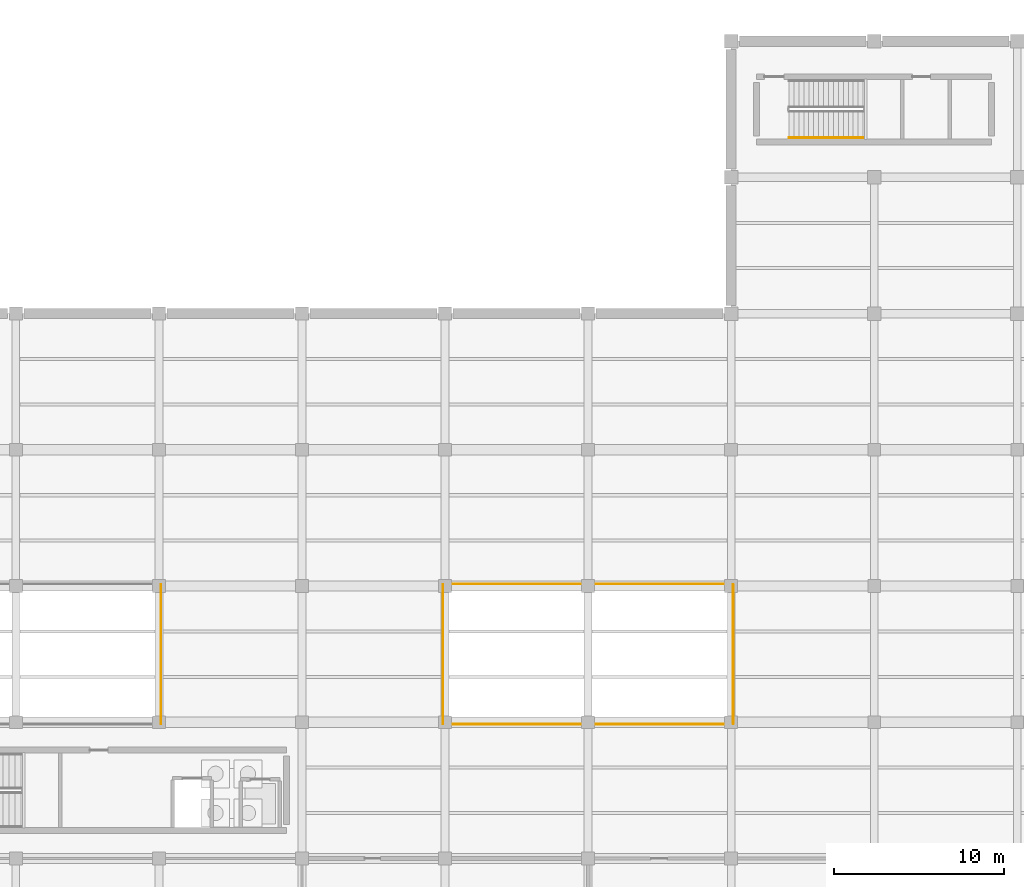
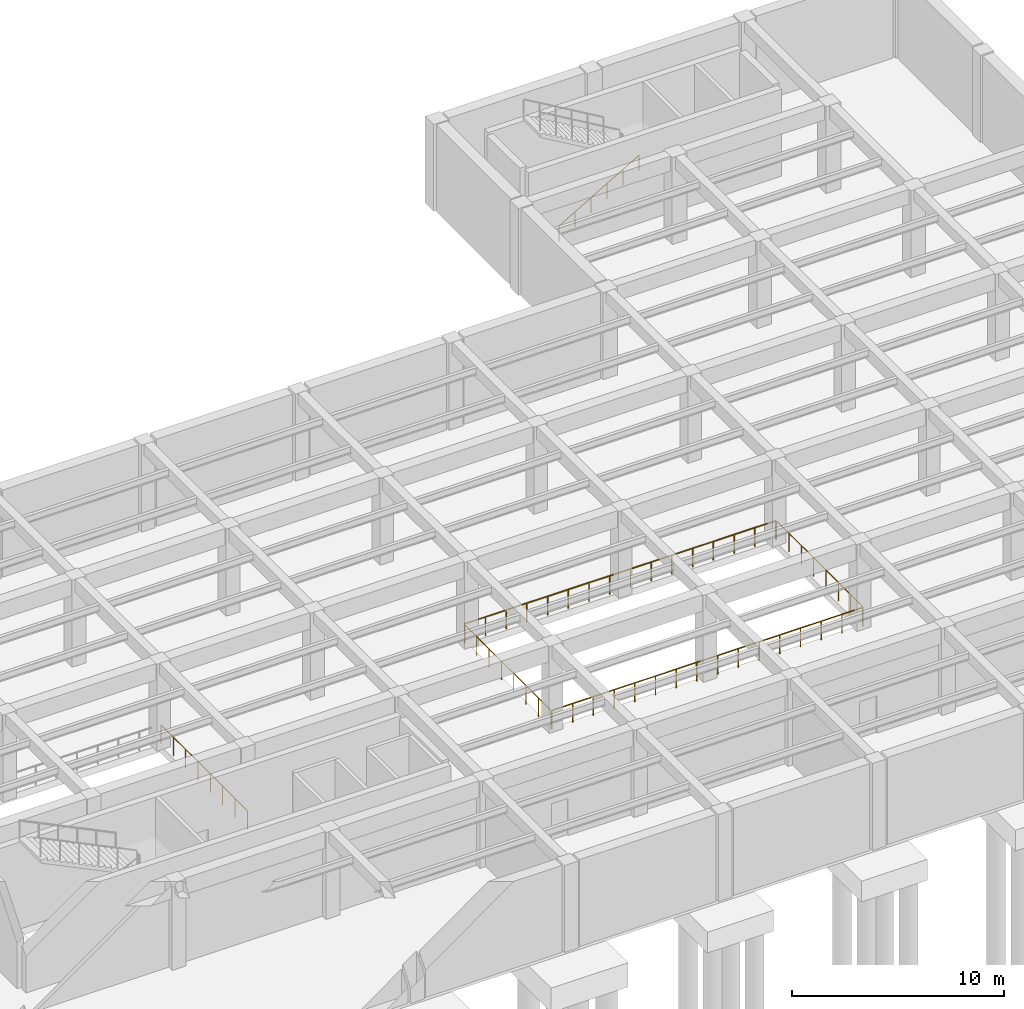
# One storey, part 14 of 16: 6 railings.
"""IFC4 building model written with IfcOpenShell, lengths in metres."""

import ifcopenshell
import ifcopenshell.guid

model = None  # the IFC model being written
_history = None  # IfcOwnerHistory: only IFC2X3 demands one
_inside = {}  # id of a spatial element -> (the spatial element, [elements in it])
_under = {}  # id of a project, library or spatial element -> (it, [spatial elements below it])
_declared = {}  # id of a project -> (the project, [libraries it declares])
_typed = {}  # id of a type object -> (the type object, [elements of that type])
_made_of = {}  # id of a material, layer set ... -> (it, [elements and type objects made of it])


def new_model(schema):
    """Start an empty IFC model of exactly this schema.

    Asked for "IFC4X3", IfcOpenShell would pick the latest addendum, in which some entities
    have other attributes; the version numbers below select the first issue.
    IFC2X3 requires an IfcOwnerHistory on every rooted entity: one is made here for all.
    """
    global model, _history
    if schema == "IFC4X3":
        model = ifcopenshell.file(schema_version=(4, 3, 0, 0))
    else:
        model = ifcopenshell.file(schema=schema)
    _inside.clear()
    _under.clear()
    _declared.clear()
    _typed.clear()
    _made_of.clear()
    _history = None
    if model.schema == "IFC2X3":
        org = make("IfcOrganization", Name="unknown")
        user = make(
            "IfcPersonAndOrganization",
            ThePerson=make("IfcPerson", FamilyName="unknown"),
            TheOrganization=org,
        )
        app = make(
            "IfcApplication",
            ApplicationDeveloper=org,
            Version="unknown",
            ApplicationFullName="unknown",
            ApplicationIdentifier="unknown",
        )
        _history = make(
            "IfcOwnerHistory",
            OwningUser=user,
            OwningApplication=app,
            ChangeAction="ADDED",
            CreationDate=0,
        )
    return model


def make(cls, **values):
    """One entity of the class cls with the attributes given. An attribute that is None is left unset."""
    return model.create_entity(
        cls, **{name: value for name, value in values.items() if value is not None}
    )


def rooted(cls, **values):
    """An entity with a GlobalId (a new one), such as an element, a storey or a relation."""
    return make(cls, GlobalId=ifcopenshell.guid.new(), OwnerHistory=_history, **values)


def si_unit(unit_type, name, prefix=None):
    """IfcSIUnit, for example si_unit("LENGTHUNIT", "METRE", prefix="MILLI")."""
    return make("IfcSIUnit", UnitType=unit_type, Prefix=prefix, Name=name)


def assignment(units):
    """IfcUnitAssignment: the units of a project."""
    return None if units is None else make("IfcUnitAssignment", Units=units)


def point(xyz):
    """IfcCartesianPoint."""
    return None if xyz is None else make("IfcCartesianPoint", Coordinates=xyz)


def direction(xyz):
    """IfcDirection."""
    return None if xyz is None else make("IfcDirection", DirectionRatios=xyz)


def frame(location, z_axis=None, x_axis=None):
    """IfcAxis2Placement3D, a coordinate frame: its origin and axes. An axis left out is left unset."""
    return make(
        "IfcAxis2Placement3D",
        Location=point(location),
        Axis=direction(z_axis),
        RefDirection=direction(x_axis),
    )


def frame_2d(location, x_axis=None):
    """IfcAxis2Placement2D, a coordinate frame in the plane: its origin and x axis."""
    return make(
        "IfcAxis2Placement2D", Location=point(location), RefDirection=direction(x_axis)
    )


def origin():
    """The frame at (0, 0, 0) with its axes left unset."""
    return frame((0.0, 0.0, 0.0))


def origin_2d():
    """The frame at (0, 0) in the plane with its x axis left unset."""
    return frame_2d((0.0, 0.0))


def place(relative_to, where):
    """IfcLocalPlacement: puts the frame where relative to a parent placement (None: the world)."""
    return make(
        "IfcLocalPlacement", PlacementRelTo=relative_to, RelativePlacement=where
    )


def context(
    kind, dimensions, precision=None, world=None, true_north=None, identifier=None
):
    """IfcGeometricRepresentationContext, for example the 3D "Model" context."""
    return make(
        "IfcGeometricRepresentationContext",
        ContextIdentifier=identifier,
        ContextType=kind,
        CoordinateSpaceDimension=dimensions,
        Precision=precision,
        WorldCoordinateSystem=world,
        TrueNorth=true_north,
    )


def subcontext(parent, identifier, kind, view, scale=None):
    """IfcGeometricRepresentationSubContext, for example "Body" below "Model"."""
    return make(
        "IfcGeometricRepresentationSubContext",
        ContextIdentifier=identifier,
        ContextType=kind,
        ParentContext=parent,
        TargetScale=scale,
        TargetView=view,
    )


def project(units=None, contexts=None):
    """IfcProject with its units and contexts."""
    return rooted(
        "IfcProject",
        Name="project",
        RepresentationContexts=contexts,
        UnitsInContext=assignment(units),
    )


def spatial(cls, under=None, at=None, **own):
    """A site, building, storey or space (cls), placed at a placement, below another one or the project."""
    s = rooted(cls, ObjectPlacement=at, **own)
    if under is not None:
        _under.setdefault(under.id(), (under, []))[1].append(s)
    return s


def profile(cls, at=None, kind="AREA", **sizes):
    """A parametric profile (cls). Its sizes go by their IFC names, for example OverallWidth=200.0."""
    return make(cls, ProfileType=kind, Position=at, **sizes)


def circle(**sizes):
    """IfcCircleProfileDef."""
    return profile("IfcCircleProfileDef", **sizes)


def extrude(swept, where, along, depth):
    """IfcExtrudedAreaSolid: the profile swept, set in the frame where, extruded along a direction by depth."""
    return make(
        "IfcExtrudedAreaSolid",
        SweptArea=swept,
        Position=where,
        ExtrudedDirection=direction(along),
        Depth=depth,
    )


def shape(context_of_items, identifier, shape_type, items):
    """IfcShapeRepresentation: the items that make up one representation, for example the "Body"."""
    return make(
        "IfcShapeRepresentation",
        ContextOfItems=context_of_items,
        RepresentationIdentifier=identifier,
        RepresentationType=shape_type,
        Items=items,
    )


def material(Name=None, Category=None):
    """IfcMaterial."""
    return make("IfcMaterial", Name=Name, Category=Category)


def made_of(thing, what):
    """Note that an element or type object is made of a material, layer set ...; save() writes the relation."""
    if what is not None:
        _made_of.setdefault(what.id(), (what, []))[1].append(thing)
    return thing


def type_object(cls, material=None, **own):
    """A type object (cls), such as IfcWallType, which elements share."""
    return made_of(rooted(cls, **own), material)


def element(
    cls,
    number,
    at=None,
    inside=None,
    cuts=None,
    type_object=None,
    material=None,
    context=None,
    identifier="Body",
    shape_type=None,
    held_by="IfcProductDefinitionShape",
    body=None,
    shapes=None,
    **own,
):
    """One element of the class cls, such as IfcWall. Its Tag is "e" and its number.

    at: its placement. inside: the storey or other place that contains it. cuts: it is an
    opening in that element (IfcRelVoidsElement). A single representation is given by context,
    identifier, shape_type and body (its items); several are given by shapes. held_by: the class
    of the entity that holds the representations. save() writes the other relations.
    """
    e = rooted(cls, Tag="e%d" % number, ObjectPlacement=at, **own)
    if body is not None:
        shapes = [shape(context, identifier, shape_type, body)]
    if shapes is not None:
        e.Representation = make(held_by, Representations=shapes)
    if inside is not None:
        _inside.setdefault(inside.id(), (inside, []))[1].append(e)
    if cuts is not None:
        rooted(
            "IfcRelVoidsElement", RelatingBuildingElement=cuts, RelatedOpeningElement=e
        )
    if type_object is not None:
        _typed.setdefault(type_object.id(), (type_object, []))[1].append(e)
    return made_of(e, material)


def aggregate(whole, parts):
    """IfcRelAggregates: a whole, such as a stair, and the parts it consists of."""
    return rooted("IfcRelAggregates", RelatingObject=whole, RelatedObjects=parts)


def save(model, path):
    """Write the relations noted so far, then the file.

    IfcRelAggregates (storeys below a building ...), IfcRelContainedInSpatialStructure (elements
    in a storey), IfcRelDefinesByType, IfcRelAssociatesMaterial and IfcRelDeclares: one each for
    every whole, place, type object, material and project.
    """
    for whole, parts in _under.values():
        aggregate(whole, parts)
    for where, things in _inside.values():
        rooted(
            "IfcRelContainedInSpatialStructure",
            RelatedElements=things,
            RelatingStructure=where,
        )
    for kind, things in _typed.values():
        rooted("IfcRelDefinesByType", RelatedObjects=things, RelatingType=kind)
    for what, things in _made_of.values():
        rooted("IfcRelAssociatesMaterial", RelatedObjects=things, RelatingMaterial=what)
    for by, libraries in _declared.values():
        rooted("IfcRelDeclares", RelatingContext=by, RelatedDefinitions=libraries)
    model.write(path)


model = new_model("IFC4")

# Units and contexts
model_context = context("Model", 3, precision=1e-05, world=origin(), true_north=direction((0.0, 1.0)))
body_context = subcontext(model_context, "Body", "Model", "MODEL_VIEW")
ifc_project = project(units=[si_unit("LENGTHUNIT", "METRE"), si_unit("AREAUNIT", "SQUARE_METRE"), si_unit("VOLUMEUNIT", "CUBIC_METRE"), si_unit("PLANEANGLEUNIT", "RADIAN"), si_unit("MASSUNIT", "GRAM", prefix="KILO")], contexts=[model_context])

# Site, building, storey
site_placement = place(None, origin())
site = spatial("IfcSite", under=ifc_project, at=site_placement, CompositionType="ELEMENT")
building_placement = place(site_placement, origin())
building = spatial("IfcBuilding", under=site, at=building_placement, Name="Kranzveld Transit Interchange", CompositionType="ELEMENT")
storey_placement = place(building_placement, frame((0.0, 0.0, -5.43994140625)))
storey = spatial("IfcBuildingStorey", under=building, at=storey_placement, Name="B1", CompositionType="ELEMENT", Elevation=-5.43994140625)

# Railings
ifc_material_1 = material(Name="Steel S355JR", Category="steel")
railing_type_1 = type_object("IfcRailingType", Name="Atrium Void Guardrail 1100", PredefinedType="GUARDRAIL", material=ifc_material_1)
for number, where, name in (
    (1, (67.320068359375, 39.919921875, 0.0), "B1 Atrium Void Guardrail VOID_B1_METRO_W-13"),
    (2, (100.919921875, 39.919921875, 0.0), "B1 Atrium Void Guardrail VOID_B1_METRO_E-17"),
):
    element("IfcRailing", number, at=place(storey_placement, frame(where)), inside=storey, type_object=railing_type_1, Name=name, PredefinedType="GUARDRAIL", context=body_context, shape_type="SweptSolid", body=[
        extrude(circle(Radius=0.02392578125, at=origin_2d()), frame((0.0, 0.0, 1.076171875), z_axis=(0.0, 1.0, 0.0), x_axis=(-1.0, 0.0, 0.0)), (0.0, 0.0, 1.0), 8.16015625),
        extrude(circle(Radius=0.02099609375, at=origin_2d()), origin(), (0.0, 0.0, 1.0), 1.050048828125),
        extrude(circle(Radius=0.02099609375, at=origin_2d()), frame((0.0, 1.165771484375, 0.0)), (0.0, 0.0, 1.0), 1.050048828125),
        extrude(circle(Radius=0.02099609375, at=origin_2d()), frame((0.0, 2.33154296875, 0.0)), (0.0, 0.0, 1.0), 1.050048828125),
        extrude(circle(Radius=0.02099609375, at=origin_2d()), frame((0.0, 3.497314453125, 0.0)), (0.0, 0.0, 1.0), 1.050048828125),
        extrude(circle(Radius=0.02099609375, at=origin_2d()), frame((0.0, 4.662841796875, 0.0)), (0.0, 0.0, 1.0), 1.050048828125),
        extrude(circle(Radius=0.02099609375, at=origin_2d()), frame((0.0, 5.82861328125, 0.0)), (0.0, 0.0, 1.0), 1.050048828125),
        extrude(circle(Radius=0.02099609375, at=origin_2d()), frame((0.0, 6.994384765625, 0.0)), (0.0, 0.0, 1.0), 1.050048828125),
        extrude(circle(Radius=0.02099609375, at=origin_2d()), frame((0.0, 8.16015625, 0.0)), (0.0, 0.0, 1.0), 1.050048828125),
    ])
railing_1_placement = place(storey_placement, frame((100.8798828125, 48.1201171875, 0.0)))
element("IfcRailing", 3, at=railing_1_placement, inside=storey, type_object=railing_type_1, Name="B1 Atrium Void Guardrail VOID_B1_METRO_E-18", PredefinedType="GUARDRAIL", context=body_context, shape_type="SweptSolid", body=[
    extrude(circle(Radius=0.02392578125, at=origin_2d()), frame((0.0, 0.0, 1.076171875), z_axis=(-1.0, 0.0, 0.0), x_axis=(0.0, -1.0, 0.0)), (0.0, 0.0, 1.0), 16.9599609375),
    extrude(circle(Radius=0.02099609375, at=origin_2d()), origin(), (0.0, 0.0, 1.0), 1.050048828125),
    extrude(circle(Radius=0.02099609375, at=origin_2d()), frame((-1.130615234375, 0.0, 0.0)), (0.0, 0.0, 1.0), 1.050048828125),
    extrude(circle(Radius=0.02099609375, at=origin_2d()), frame((-2.26123046875, 0.0, 0.0)), (0.0, 0.0, 1.0), 1.050048828125),
    extrude(circle(Radius=0.02099609375, at=origin_2d()), frame((-3.39208984375, 0.0, 0.0)), (0.0, 0.0, 1.0), 1.050048828125),
    extrude(circle(Radius=0.02099609375, at=origin_2d()), frame((-4.522705078125, 0.0, 0.0)), (0.0, 0.0, 1.0), 1.050048828125),
    extrude(circle(Radius=0.02099609375, at=origin_2d()), frame((-5.6533203125, 0.0, 0.0)), (0.0, 0.0, 1.0), 1.050048828125),
    extrude(circle(Radius=0.02099609375, at=origin_2d()), frame((-6.783935546875, 0.0, 0.0)), (0.0, 0.0, 1.0), 1.050048828125),
    extrude(circle(Radius=0.02099609375, at=origin_2d()), frame((-7.91455078125, 0.0, 0.0)), (0.0, 0.0, 1.0), 1.050048828125),
    extrude(circle(Radius=0.02099609375, at=origin_2d()), frame((-9.04541015625, 0.0, 0.0)), (0.0, 0.0, 1.0), 1.050048828125),
    extrude(circle(Radius=0.02099609375, at=origin_2d()), frame((-10.176025390625, 0.0, 0.0)), (0.0, 0.0, 1.0), 1.050048828125),
    extrude(circle(Radius=0.02099609375, at=origin_2d()), frame((-11.306640625, 0.0, 0.0)), (0.0, 0.0, 1.0), 1.050048828125),
    extrude(circle(Radius=0.02099609375, at=origin_2d()), frame((-12.437255859375, 0.0, 0.0)), (0.0, 0.0, 1.0), 1.050048828125),
    extrude(circle(Radius=0.02099609375, at=origin_2d()), frame((-13.56787109375, 0.0, 0.0)), (0.0, 0.0, 1.0), 1.050048828125),
    extrude(circle(Radius=0.02099609375, at=origin_2d()), frame((-14.69873046875, 0.0, 0.0)), (0.0, 0.0, 1.0), 1.050048828125),
    extrude(circle(Radius=0.02099609375, at=origin_2d()), frame((-15.829345703125, 0.0, 0.0)), (0.0, 0.0, 1.0), 1.050048828125),
    extrude(circle(Radius=0.02099609375, at=origin_2d()), frame((-16.9599609375, 0.0, 0.0)), (0.0, 0.0, 1.0), 1.050048828125),
])
railing_2_placement = place(storey_placement, frame((83.8798828125, 48.080078125, 0.0)))
element("IfcRailing", 4, at=railing_2_placement, inside=storey, type_object=railing_type_1, Name="B1 Atrium Void Guardrail VOID_B1_METRO_E-19", PredefinedType="GUARDRAIL", context=body_context, shape_type="SweptSolid", body=[
    extrude(circle(Radius=0.02392578125, at=origin_2d()), frame((0.0, 0.0, 1.076171875), z_axis=(0.0, -1.0, 0.0), x_axis=(1.0, 0.0, 0.0)), (0.0, 0.0, 1.0), 8.16015625),
    extrude(circle(Radius=0.02099609375, at=origin_2d()), origin(), (0.0, 0.0, 1.0), 1.050048828125),
    extrude(circle(Radius=0.02099609375, at=origin_2d()), frame((0.0, -1.165771484375, 0.0)), (0.0, 0.0, 1.0), 1.050048828125),
    extrude(circle(Radius=0.02099609375, at=origin_2d()), frame((0.0, -2.33154296875, 0.0)), (0.0, 0.0, 1.0), 1.050048828125),
    extrude(circle(Radius=0.02099609375, at=origin_2d()), frame((0.0, -3.497314453125, 0.0)), (0.0, 0.0, 1.0), 1.050048828125),
    extrude(circle(Radius=0.02099609375, at=origin_2d()), frame((0.0, -4.662841796875, 0.0)), (0.0, 0.0, 1.0), 1.050048828125),
    extrude(circle(Radius=0.02099609375, at=origin_2d()), frame((0.0, -5.82861328125, 0.0)), (0.0, 0.0, 1.0), 1.050048828125),
    extrude(circle(Radius=0.02099609375, at=origin_2d()), frame((0.0, -6.994384765625, 0.0)), (0.0, 0.0, 1.0), 1.050048828125),
    extrude(circle(Radius=0.02099609375, at=origin_2d()), frame((0.0, -8.16015625, 0.0)), (0.0, 0.0, 1.0), 1.050048828125),
])
railing_3_placement = place(storey_placement, frame((83.919921875, 39.8798828125, 0.0)))
element("IfcRailing", 5, at=railing_3_placement, inside=storey, type_object=railing_type_1, Name="B1 Atrium Void Guardrail VOID_B1_METRO_E-20", PredefinedType="GUARDRAIL", context=body_context, shape_type="SweptSolid", body=[
    extrude(circle(Radius=0.02392578125, at=origin_2d()), frame((0.0, 0.0, 1.076171875), z_axis=(1.0, 0.0, 0.0), x_axis=(0.0, 1.0, 0.0)), (0.0, 0.0, 1.0), 16.9599609375),
    extrude(circle(Radius=0.02099609375, at=origin_2d()), origin(), (0.0, 0.0, 1.0), 1.050048828125),
    extrude(circle(Radius=0.02099609375, at=origin_2d()), frame((1.130615234375, 0.0, 0.0)), (0.0, 0.0, 1.0), 1.050048828125),
    extrude(circle(Radius=0.02099609375, at=origin_2d()), frame((2.26123046875, 0.0, 0.0)), (0.0, 0.0, 1.0), 1.050048828125),
    extrude(circle(Radius=0.02099609375, at=origin_2d()), frame((3.39208984375, 0.0, 0.0)), (0.0, 0.0, 1.0), 1.050048828125),
    extrude(circle(Radius=0.02099609375, at=origin_2d()), frame((4.522705078125, 0.0, 0.0)), (0.0, 0.0, 1.0), 1.050048828125),
    extrude(circle(Radius=0.02099609375, at=origin_2d()), frame((5.6533203125, 0.0, 0.0)), (0.0, 0.0, 1.0), 1.050048828125),
    extrude(circle(Radius=0.02099609375, at=origin_2d()), frame((6.783935546875, 0.0, 0.0)), (0.0, 0.0, 1.0), 1.050048828125),
    extrude(circle(Radius=0.02099609375, at=origin_2d()), frame((7.91455078125, 0.0, 0.0)), (0.0, 0.0, 1.0), 1.050048828125),
    extrude(circle(Radius=0.02099609375, at=origin_2d()), frame((9.04541015625, 0.0, 0.0)), (0.0, 0.0, 1.0), 1.050048828125),
    extrude(circle(Radius=0.02099609375, at=origin_2d()), frame((10.176025390625, 0.0, 0.0)), (0.0, 0.0, 1.0), 1.050048828125),
    extrude(circle(Radius=0.02099609375, at=origin_2d()), frame((11.306640625, 0.0, 0.0)), (0.0, 0.0, 1.0), 1.050048828125),
    extrude(circle(Radius=0.02099609375, at=origin_2d()), frame((12.437255859375, 0.0, 0.0)), (0.0, 0.0, 1.0), 1.050048828125),
    extrude(circle(Radius=0.02099609375, at=origin_2d()), frame((13.56787109375, 0.0, 0.0)), (0.0, 0.0, 1.0), 1.050048828125),
    extrude(circle(Radius=0.02099609375, at=origin_2d()), frame((14.69873046875, 0.0, 0.0)), (0.0, 0.0, 1.0), 1.050048828125),
    extrude(circle(Radius=0.02099609375, at=origin_2d()), frame((15.829345703125, 0.0, 0.0)), (0.0, 0.0, 1.0), 1.050048828125),
    extrude(circle(Radius=0.02099609375, at=origin_2d()), frame((16.9599609375, 0.0, 0.0)), (0.0, 0.0, 1.0), 1.050048828125),
])
ifc_material_2 = material(Name="Steel S355JR", Category="steel")
railing_type_2 = type_object("IfcRailingType", Name="Stair & Ramp Handrail Steel 900", PredefinedType="HANDRAIL", material=ifc_material_2)
railing_4_placement = place(storey_placement, frame((104.199951171875, 74.320068359375, 0.169921875)))
element("IfcRailing", 6, at=railing_4_placement, inside=storey, type_object=railing_type_2, Name="B1 ST-V4A stair handrail 1", PredefinedType="HANDRAIL", context=body_context, shape_type="SweptSolid", body=[
    extrude(circle(Radius=0.02392578125, at=origin_2d()), frame((0.0, 0.0, 0.8759765625), z_axis=(0.862698698498, 0.0, 0.505718257145), x_axis=(0.0, 1.0, 0.0)), (0.0, 0.0, 1.0), 5.04248046875),
    extrude(circle(Radius=0.02099609375, at=origin_2d()), origin(), (0.0, 0.0, 1.0), 0.849853515625),
    extrude(circle(Radius=0.02099609375, at=origin_2d()), frame((0.8701171875, 0.0, 0.510009765625)), (0.0, 0.0, 1.0), 0.849853515625),
    extrude(circle(Radius=0.02099609375, at=origin_2d()), frame((1.739990234375, 0.0, 1.02001953125)), (0.0, 0.0, 1.0), 0.849853515625),
    extrude(circle(Radius=0.02099609375, at=origin_2d()), frame((2.610107421875, 0.0, 1.530029296875)), (0.0, 0.0, 1.0), 0.849853515625),
    extrude(circle(Radius=0.02099609375, at=origin_2d()), frame((3.47998046875, 0.0, 2.0400390625)), (0.0, 0.0, 1.0), 0.849853515625),
    extrude(circle(Radius=0.02099609375, at=origin_2d()), frame((4.35009765625, 0.0, 2.550048828125)), (0.0, 0.0, 1.0), 0.849853515625),
])

save(model, "model.ifc")
